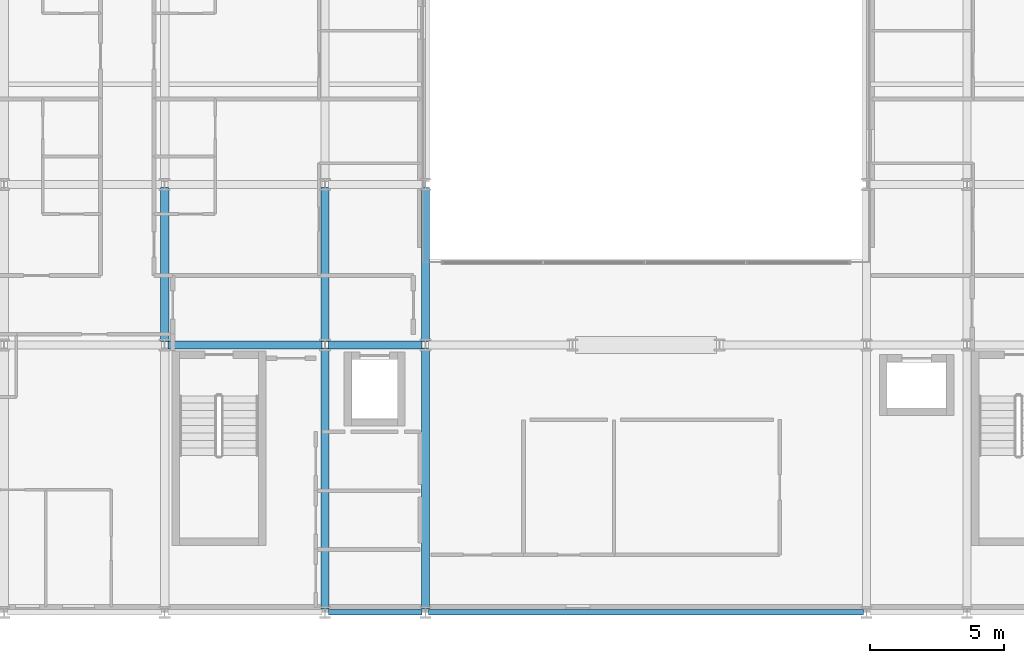
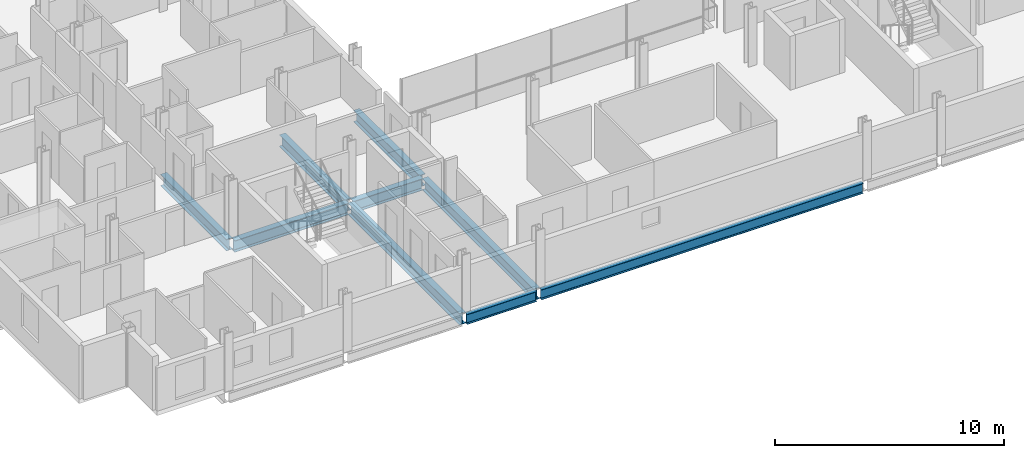
# One storey, part 3 of 39: 9 beams.
"""IFC4 building model written with IfcOpenShell, lengths in metres."""

import ifcopenshell
import ifcopenshell.guid

model = None  # the IFC model being written
_history = None  # IfcOwnerHistory: only IFC2X3 demands one
_inside = {}  # id of a spatial element -> (the spatial element, [elements in it])
_under = {}  # id of a project, library or spatial element -> (it, [spatial elements below it])
_declared = {}  # id of a project -> (the project, [libraries it declares])
_typed = {}  # id of a type object -> (the type object, [elements of that type])
_made_of = {}  # id of a material, layer set ... -> (it, [elements and type objects made of it])


def new_model(schema):
    """Start an empty IFC model of exactly this schema.

    Asked for "IFC4X3", IfcOpenShell would pick the latest addendum, in which some entities
    have other attributes; the version numbers below select the first issue.
    IFC2X3 requires an IfcOwnerHistory on every rooted entity: one is made here for all.
    """
    global model, _history
    if schema == "IFC4X3":
        model = ifcopenshell.file(schema_version=(4, 3, 0, 0))
    else:
        model = ifcopenshell.file(schema=schema)
    _inside.clear()
    _under.clear()
    _declared.clear()
    _typed.clear()
    _made_of.clear()
    _history = None
    if model.schema == "IFC2X3":
        org = make("IfcOrganization", Name="unknown")
        user = make(
            "IfcPersonAndOrganization",
            ThePerson=make("IfcPerson", FamilyName="unknown"),
            TheOrganization=org,
        )
        app = make(
            "IfcApplication",
            ApplicationDeveloper=org,
            Version="unknown",
            ApplicationFullName="unknown",
            ApplicationIdentifier="unknown",
        )
        _history = make(
            "IfcOwnerHistory",
            OwningUser=user,
            OwningApplication=app,
            ChangeAction="ADDED",
            CreationDate=0,
        )
    return model


def make(cls, **values):
    """One entity of the class cls with the attributes given. An attribute that is None is left unset."""
    return model.create_entity(
        cls, **{name: value for name, value in values.items() if value is not None}
    )


def rooted(cls, **values):
    """An entity with a GlobalId (a new one), such as an element, a storey or a relation."""
    return make(cls, GlobalId=ifcopenshell.guid.new(), OwnerHistory=_history, **values)


def si_unit(unit_type, name, prefix=None):
    """IfcSIUnit, for example si_unit("LENGTHUNIT", "METRE", prefix="MILLI")."""
    return make("IfcSIUnit", UnitType=unit_type, Prefix=prefix, Name=name)


def assignment(units):
    """IfcUnitAssignment: the units of a project."""
    return None if units is None else make("IfcUnitAssignment", Units=units)


def point(xyz):
    """IfcCartesianPoint."""
    return None if xyz is None else make("IfcCartesianPoint", Coordinates=xyz)


def direction(xyz):
    """IfcDirection."""
    return None if xyz is None else make("IfcDirection", DirectionRatios=xyz)


def frame(location, z_axis=None, x_axis=None):
    """IfcAxis2Placement3D, a coordinate frame: its origin and axes. An axis left out is left unset."""
    return make(
        "IfcAxis2Placement3D",
        Location=point(location),
        Axis=direction(z_axis),
        RefDirection=direction(x_axis),
    )


def frame_2d(location, x_axis=None):
    """IfcAxis2Placement2D, a coordinate frame in the plane: its origin and x axis."""
    return make(
        "IfcAxis2Placement2D", Location=point(location), RefDirection=direction(x_axis)
    )


def origin():
    """The frame at (0, 0, 0) with its axes left unset."""
    return frame((0.0, 0.0, 0.0))


def origin_2d():
    """The frame at (0, 0) in the plane with its x axis left unset."""
    return frame_2d((0.0, 0.0))


def place(relative_to, where):
    """IfcLocalPlacement: puts the frame where relative to a parent placement (None: the world)."""
    return make(
        "IfcLocalPlacement", PlacementRelTo=relative_to, RelativePlacement=where
    )


def context(
    kind, dimensions, precision=None, world=None, true_north=None, identifier=None
):
    """IfcGeometricRepresentationContext, for example the 3D "Model" context."""
    return make(
        "IfcGeometricRepresentationContext",
        ContextIdentifier=identifier,
        ContextType=kind,
        CoordinateSpaceDimension=dimensions,
        Precision=precision,
        WorldCoordinateSystem=world,
        TrueNorth=true_north,
    )


def subcontext(parent, identifier, kind, view, scale=None):
    """IfcGeometricRepresentationSubContext, for example "Body" below "Model"."""
    return make(
        "IfcGeometricRepresentationSubContext",
        ContextIdentifier=identifier,
        ContextType=kind,
        ParentContext=parent,
        TargetScale=scale,
        TargetView=view,
    )


def project(units=None, contexts=None):
    """IfcProject with its units and contexts."""
    return rooted(
        "IfcProject",
        Name="project",
        RepresentationContexts=contexts,
        UnitsInContext=assignment(units),
    )


def spatial(cls, under=None, at=None, **own):
    """A site, building, storey or space (cls), placed at a placement, below another one or the project."""
    s = rooted(cls, ObjectPlacement=at, **own)
    if under is not None:
        _under.setdefault(under.id(), (under, []))[1].append(s)
    return s


def profile(cls, at=None, kind="AREA", **sizes):
    """A parametric profile (cls). Its sizes go by their IFC names, for example OverallWidth=200.0."""
    return make(cls, ProfileType=kind, Position=at, **sizes)


def i_section(**sizes):
    """IfcIShapeProfileDef."""
    return profile("IfcIShapeProfileDef", **sizes)


def extrude(swept, where, along, depth):
    """IfcExtrudedAreaSolid: the profile swept, set in the frame where, extruded along a direction by depth."""
    return make(
        "IfcExtrudedAreaSolid",
        SweptArea=swept,
        Position=where,
        ExtrudedDirection=direction(along),
        Depth=depth,
    )


def shape(context_of_items, identifier, shape_type, items):
    """IfcShapeRepresentation: the items that make up one representation, for example the "Body"."""
    return make(
        "IfcShapeRepresentation",
        ContextOfItems=context_of_items,
        RepresentationIdentifier=identifier,
        RepresentationType=shape_type,
        Items=items,
    )


def material(Name=None, Category=None):
    """IfcMaterial."""
    return make("IfcMaterial", Name=Name, Category=Category)


def material_profile(
    of_material, cross_section, Name=None, Category=None, Priority=None
):
    """IfcMaterialProfile: a cross section and its material."""
    return make(
        "IfcMaterialProfile",
        Name=Name,
        Material=of_material,
        Profile=cross_section,
        Priority=Priority,
        Category=Category,
    )


def profile_set(profiles, Name=None, composite=None):
    """IfcMaterialProfileSet."""
    return make(
        "IfcMaterialProfileSet",
        Name=Name,
        MaterialProfiles=profiles,
        CompositeProfile=composite,
    )


def made_of(thing, what):
    """Note that an element or type object is made of a material, layer set ...; save() writes the relation."""
    if what is not None:
        _made_of.setdefault(what.id(), (what, []))[1].append(thing)
    return thing


def type_object(cls, material=None, **own):
    """A type object (cls), such as IfcWallType, which elements share."""
    return made_of(rooted(cls, **own), material)


def element(
    cls,
    number,
    at=None,
    inside=None,
    cuts=None,
    type_object=None,
    material=None,
    context=None,
    identifier="Body",
    shape_type=None,
    held_by="IfcProductDefinitionShape",
    body=None,
    shapes=None,
    **own,
):
    """One element of the class cls, such as IfcWall. Its Tag is "e" and its number.

    at: its placement. inside: the storey or other place that contains it. cuts: it is an
    opening in that element (IfcRelVoidsElement). A single representation is given by context,
    identifier, shape_type and body (its items); several are given by shapes. held_by: the class
    of the entity that holds the representations. save() writes the other relations.
    """
    e = rooted(cls, Tag="e%d" % number, ObjectPlacement=at, **own)
    if body is not None:
        shapes = [shape(context, identifier, shape_type, body)]
    if shapes is not None:
        e.Representation = make(held_by, Representations=shapes)
    if inside is not None:
        _inside.setdefault(inside.id(), (inside, []))[1].append(e)
    if cuts is not None:
        rooted(
            "IfcRelVoidsElement", RelatingBuildingElement=cuts, RelatedOpeningElement=e
        )
    if type_object is not None:
        _typed.setdefault(type_object.id(), (type_object, []))[1].append(e)
    return made_of(e, material)


def aggregate(whole, parts):
    """IfcRelAggregates: a whole, such as a stair, and the parts it consists of."""
    return rooted("IfcRelAggregates", RelatingObject=whole, RelatedObjects=parts)


def save(model, path):
    """Write the relations noted so far, then the file.

    IfcRelAggregates (storeys below a building ...), IfcRelContainedInSpatialStructure (elements
    in a storey), IfcRelDefinesByType, IfcRelAssociatesMaterial and IfcRelDeclares: one each for
    every whole, place, type object, material and project.
    """
    for whole, parts in _under.values():
        aggregate(whole, parts)
    for where, things in _inside.values():
        rooted(
            "IfcRelContainedInSpatialStructure",
            RelatedElements=things,
            RelatingStructure=where,
        )
    for kind, things in _typed.values():
        rooted("IfcRelDefinesByType", RelatedObjects=things, RelatingType=kind)
    for what, things in _made_of.values():
        rooted("IfcRelAssociatesMaterial", RelatedObjects=things, RelatingMaterial=what)
    for by, libraries in _declared.values():
        rooted("IfcRelDeclares", RelatingContext=by, RelatedDefinitions=libraries)
    model.write(path)


model = new_model("IFC4")

# Units and contexts
model_context = context("Model", 3, precision=1e-05, world=origin(), true_north=direction((0.0, 1.0)))
body_context = subcontext(model_context, "Body", "Model", "MODEL_VIEW")
ifc_project = project(units=[si_unit("LENGTHUNIT", "METRE"), si_unit("AREAUNIT", "SQUARE_METRE"), si_unit("VOLUMEUNIT", "CUBIC_METRE"), si_unit("PLANEANGLEUNIT", "RADIAN"), si_unit("MASSUNIT", "GRAM", prefix="KILO")], contexts=[model_context])

# Site, building, storey
site_placement = place(None, origin())
site = spatial("IfcSite", under=ifc_project, at=site_placement, CompositionType="ELEMENT")
building_placement = place(site_placement, origin())
building = spatial("IfcBuilding", under=site, at=building_placement, Name="Brevholm Reach", CompositionType="ELEMENT")
storey_placement = place(building_placement, frame((0.0, 0.0, 77.60009765625)))
storey = spatial("IfcBuildingStorey", under=building, at=storey_placement, Name="L22", CompositionType="ELEMENT", Elevation=77.60009765625)

# Beams
ifc_material_1 = material(Name="Structural Steel S355J2", Category="steel")
ifc_material_profile_1 = material_profile(ifc_material_1, i_section(OverallWidth=0.210693359375, OverallDepth=0.53955078125, WebThickness=0.01171875, FlangeThickness=0.018798828125, FilletRadius=0.0126953125, at=origin_2d()), Name="UKB 533x210x109")
ifc_profile_set_1 = profile_set([ifc_material_profile_1], Name="Structural Steel S355J2")
beam_type_1 = type_object("IfcBeamType", Name="BM-SP539", PredefinedType="SPANDREL", material=ifc_profile_set_1)
beam_1_placement = place(storey_placement, frame((18.1201171875, 0.0, -0.499755859375), z_axis=(1.0, 0.0, 0.0), x_axis=(0.0, 1.0, 0.0)))
element("IfcBeam", 1, at=beam_1_placement, inside=storey, type_object=beam_type_1, Name="L22 SP-01B Framing Beam", PredefinedType="SPANDREL", context=body_context, shape_type="SweptSolid", body=[
    extrude(i_section(OverallWidth=0.210693359375, OverallDepth=0.53955078125, WebThickness=0.01171875, FlangeThickness=0.018798828125, FilletRadius=0.0126953125, at=origin_2d()), origin(), (0.0, 0.0, 1.0), 3.509765625),
])
beam_2_placement = place(storey_placement, frame((21.8701171875, 0.0, -0.499755859375), z_axis=(1.0, 0.0, 0.0), x_axis=(0.0, 1.0, 0.0)))
element("IfcBeam", 2, at=beam_2_placement, inside=storey, type_object=beam_type_1, Name="L22 SP-01B Framing Beam", PredefinedType="SPANDREL", context=body_context, shape_type="SweptSolid", body=[
    extrude(i_section(OverallWidth=0.210693359375, OverallDepth=0.53955078125, WebThickness=0.01171875, FlangeThickness=0.018798828125, FilletRadius=0.0126953125, at=origin_2d()), origin(), (0.0, 0.0, 1.0), 16.259765625),
])
ifc_material_2 = material(Name="Structural Steel S355J2", Category="steel")
ifc_material_profile_2 = material_profile(ifc_material_2, i_section(OverallWidth=0.30712890625, OverallDepth=0.6201171875, WebThickness=0.01416015625, FlangeThickness=0.023681640625, FilletRadius=0.0166015625, at=origin_2d()), Name="UKB 610x305x179")
ifc_profile_set_2 = profile_set([ifc_material_profile_2], Name="Structural Steel S355J2")
beam_type_2 = type_object("IfcBeamType", Name="BM-UKB610H", PredefinedType="USERDEFINED", material=ifc_profile_set_2)
beam_3_placement = place(storey_placement, frame((12.1201171875, 10.0, -0.540283203125), z_axis=(1.0, 0.0, 0.0), x_axis=(0.0, 1.0, 0.0)))
element("IfcBeam", 3, at=beam_3_placement, inside=storey, type_object=beam_type_2, Name="L22 G-06 Framing Beam", ObjectType="GIRDER", PredefinedType="USERDEFINED", context=body_context, shape_type="SweptSolid", body=[
    extrude(i_section(OverallWidth=0.30712890625, OverallDepth=0.6201171875, WebThickness=0.01416015625, FlangeThickness=0.023681640625, FilletRadius=0.0166015625, at=origin_2d()), origin(), (0.0, 0.0, 1.0), 5.759765625),
])
beam_4_placement = place(storey_placement, frame((18.1201171875, 10.0, -0.540283203125), z_axis=(1.0, 0.0, 0.0), x_axis=(0.0, 1.0, 0.0)))
element("IfcBeam", 4, at=beam_4_placement, inside=storey, type_object=beam_type_2, Name="L22 G-06 Framing Beam", ObjectType="GIRDER", PredefinedType="USERDEFINED", context=body_context, shape_type="SweptSolid", body=[
    extrude(i_section(OverallWidth=0.30712890625, OverallDepth=0.6201171875, WebThickness=0.01416015625, FlangeThickness=0.023681640625, FilletRadius=0.0166015625, at=origin_2d()), origin(), (0.0, 0.0, 1.0), 3.509765625),
])
beam_5_placement = place(storey_placement, frame((12.0, 10.1201171875, -0.540283203125), z_axis=(0.0, 1.0, 0.0), x_axis=(-1.0, 0.0, 0.0)))
element("IfcBeam", 5, at=beam_5_placement, inside=storey, type_object=beam_type_2, Name="L22 G-06 Framing Beam", ObjectType="GIRDER", PredefinedType="USERDEFINED", context=body_context, shape_type="SweptSolid", body=[
    extrude(i_section(OverallWidth=0.30712890625, OverallDepth=0.6201171875, WebThickness=0.01416015625, FlangeThickness=0.023681640625, FilletRadius=0.0166015625, at=origin_2d()), origin(), (0.0, 0.0, 1.0), 5.759765625),
])
beam_6_placement = place(storey_placement, frame((18.0, 0.1201171875, -0.540283203125), z_axis=(0.0, 1.0, 0.0), x_axis=(-1.0, 0.0, 0.0)))
element("IfcBeam", 6, at=beam_6_placement, inside=storey, type_object=beam_type_2, Name="L22 G-06 Framing Beam", ObjectType="GIRDER", PredefinedType="USERDEFINED", context=body_context, shape_type="SweptSolid", body=[
    extrude(i_section(OverallWidth=0.30712890625, OverallDepth=0.6201171875, WebThickness=0.01416015625, FlangeThickness=0.023681640625, FilletRadius=0.0166015625, at=origin_2d()), origin(), (0.0, 0.0, 1.0), 9.759765625),
])
beam_7_placement = place(storey_placement, frame((18.0, 10.1201171875, -0.540283203125), z_axis=(0.0, 1.0, 0.0), x_axis=(-1.0, 0.0, 0.0)))
element("IfcBeam", 7, at=beam_7_placement, inside=storey, type_object=beam_type_2, Name="L22 G-06 Framing Beam", ObjectType="GIRDER", PredefinedType="USERDEFINED", context=body_context, shape_type="SweptSolid", body=[
    extrude(i_section(OverallWidth=0.30712890625, OverallDepth=0.6201171875, WebThickness=0.01416015625, FlangeThickness=0.023681640625, FilletRadius=0.0166015625, at=origin_2d()), origin(), (0.0, 0.0, 1.0), 5.759765625),
])
beam_8_placement = place(storey_placement, frame((21.75, 0.1201171875, -0.540283203125), z_axis=(0.0, 1.0, 0.0), x_axis=(-1.0, 0.0, 0.0)))
element("IfcBeam", 8, at=beam_8_placement, inside=storey, type_object=beam_type_2, Name="L22 G-06 Framing Beam", ObjectType="GIRDER", PredefinedType="USERDEFINED", context=body_context, shape_type="SweptSolid", body=[
    extrude(i_section(OverallWidth=0.30712890625, OverallDepth=0.6201171875, WebThickness=0.01416015625, FlangeThickness=0.023681640625, FilletRadius=0.0166015625, at=origin_2d()), origin(), (0.0, 0.0, 1.0), 9.759765625),
])
beam_9_placement = place(storey_placement, frame((21.75, 10.1201171875, -0.540283203125), z_axis=(0.0, 1.0, 0.0), x_axis=(-1.0, 0.0, 0.0)))
element("IfcBeam", 9, at=beam_9_placement, inside=storey, type_object=beam_type_2, Name="L22 G-06 Framing Beam", ObjectType="GIRDER", PredefinedType="USERDEFINED", context=body_context, shape_type="SweptSolid", body=[
    extrude(i_section(OverallWidth=0.30712890625, OverallDepth=0.6201171875, WebThickness=0.01416015625, FlangeThickness=0.023681640625, FilletRadius=0.0166015625, at=origin_2d()), origin(), (0.0, 0.0, 1.0), 5.759765625),
])

save(model, "model.ifc")
